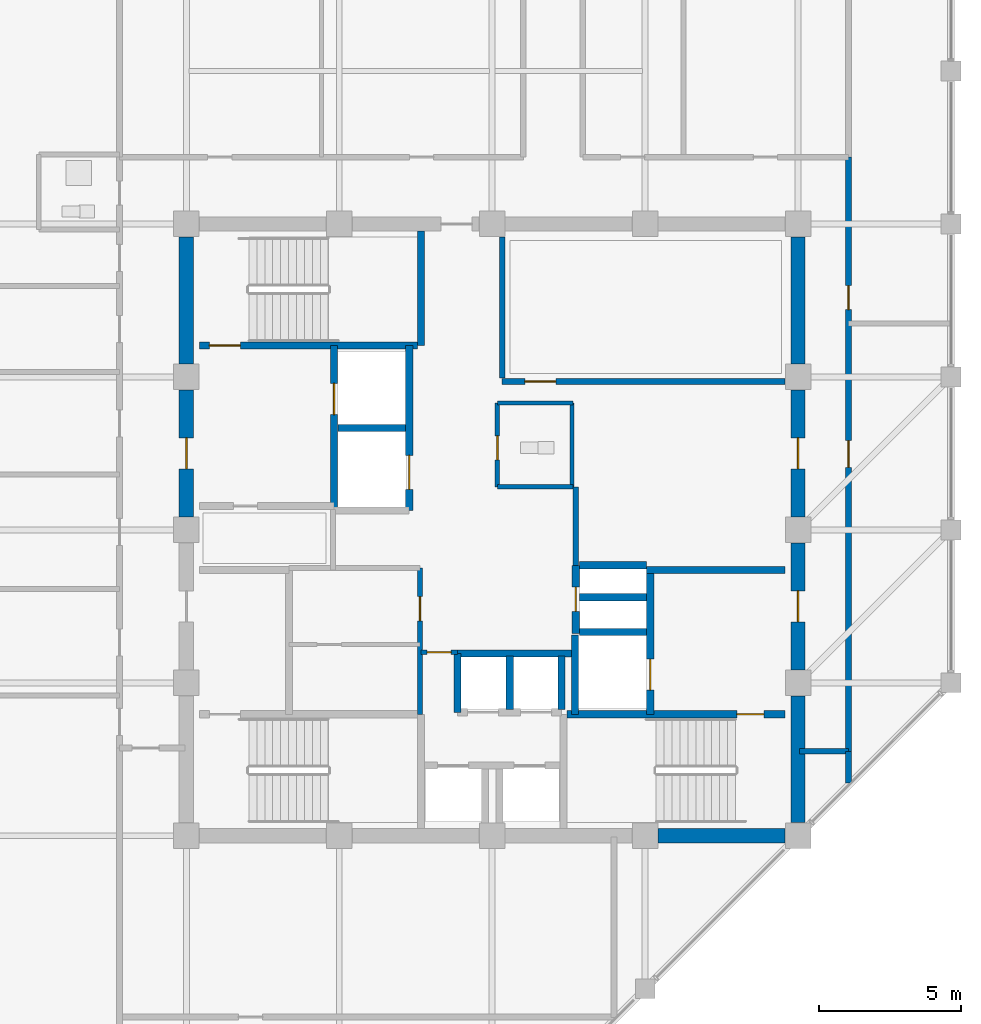
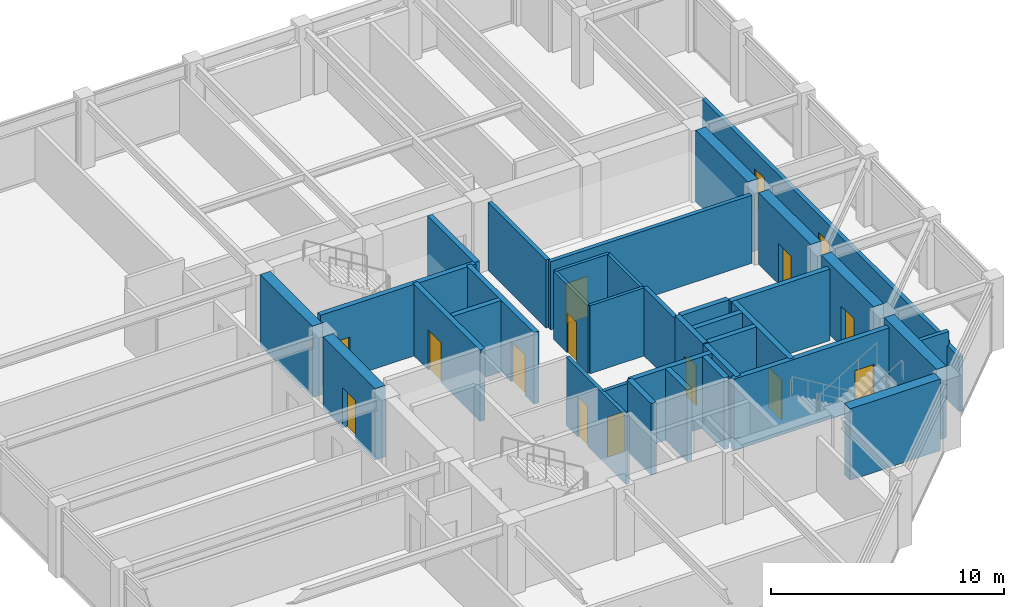
# One storey, part 27 of 30: 36 walls, 15 doors, 15 openings.
"""IFC4 building model written with IfcOpenShell, lengths in metres."""

from ifc_helpers import new_model, si_unit, direction, frame, frame_2d, origin, place, context, subcontext, project, spatial, rectangle, extrude, material, layer, layer_set, type_object, element, fill, save


model = new_model("IFC4")

# Units and contexts
model_context = context("Model", 3, precision=1e-05, world=origin(), true_north=direction((0.0, 1.0)))
body_context = subcontext(model_context, "Body", "Model", "MODEL_VIEW")
ifc_project = project(units=[si_unit("LENGTHUNIT", "METRE"), si_unit("AREAUNIT", "SQUARE_METRE"), si_unit("VOLUMEUNIT", "CUBIC_METRE"), si_unit("PLANEANGLEUNIT", "RADIAN"), si_unit("MASSUNIT", "GRAM", prefix="KILO")], contexts=[model_context])

# Site, building, storey
site_placement = place(None, origin())
site = spatial("IfcSite", under=ifc_project, at=site_placement, CompositionType="ELEMENT")
building_placement = place(site_placement, origin())
building = spatial("IfcBuilding", under=site, at=building_placement, Name="Surkhivell Harbour Commons", CompositionType="ELEMENT")
storey_placement = place(building_placement, frame((0.0, 0.0, 292.5)))
storey = spatial("IfcBuildingStorey", under=building, at=storey_placement, Name="L76", CompositionType="ELEMENT", Elevation=292.5)

# Wall
ifc_material_1 = material(Name="Concrete C50/60", Category="concrete")
ifc_layer_1 = layer(ifc_material_1, 0.5)
ifc_layer_set_1 = layer_set([ifc_layer_1], Name="Concrete C50/60")
wall_type_1 = type_object("IfcWallType", Name="WAL-CORE-500", PredefinedType="SHEAR", material=ifc_layer_set_1)
wall_1_placement = place(storey_placement, frame((10.800048828125, -10.340087890625, 0.0), z_axis=(0.0, 0.0, 1.0), x_axis=(0.0, 1.0, 0.0)))
element("IfcWall", 1, at=wall_1_placement, inside=storey, type_object=wall_type_1, Name="L76 Core Shear Wall East 1", PredefinedType="SHEAR", context=body_context, shape_type="SweptSolid", body=[
    extrude(rectangle(XDim=4.47998046875, YDim=0.5, at=frame_2d((2.239990234375, 0.0))), origin(), (0.0, 0.0, 1.0), 3.75),
])

# Wall, opening, door
wall_2_placement = place(storey_placement, frame((10.800048828125, -4.93994140625, 0.0), z_axis=(0.0, 0.0, 1.0), x_axis=(0.0, 1.0, 0.0)))
wall_2 = element("IfcWall", 2, at=wall_2_placement, inside=storey, type_object=wall_type_1, Name="L76 Core Shear Wall East 2", PredefinedType="SHEAR", context=body_context, shape_type="SweptSolid", body=[
    extrude(rectangle(XDim=4.47998046875, YDim=0.5, at=frame_2d((2.239990234375, 0.0))), origin(), (0.0, 0.0, 1.0), 3.75),
])
opening_1_placement = place(wall_2_placement, frame((1.68994140625, 0.0, 0.0)))
opening_1 = element("IfcOpeningElement", 3, at=opening_1_placement, cuts=wall_2, Name="Opening ID-1", PredefinedType="OPENING", context=body_context, shape_type="SweptSolid", body=[
    extrude(rectangle(XDim=1.10009765625, YDim=2.10009765625, at=frame_2d((0.550048828125, 1.050048828125))), frame((0.0, 0.260009765625, 0.0), z_axis=(0.0, -1.0, 0.0), x_axis=(1.0, 0.0, 0.0)), (0.0, 0.0, 1.0), 0.52001953125),
])
ifc_material_2 = material(Name="Hardwood-veneered fire-rated door leaf", Category="wood")
door_type_1 = type_object("IfcDoorType", Name="DOR-FD120-1100", OperationType="NOTDEFINED", PredefinedType="DOOR", material=ifc_material_2)
door_1_placement = place(opening_1_placement, origin())
door_1 = element("IfcDoor", 4, at=door_1_placement, inside=storey, type_object=door_type_1, Name="L76 Firefighting Lobby 2 Corridor Door", OperationType="SINGLE_SWING_RIGHT", OverallHeight=2.10009765625, OverallWidth=1.10009765625, PredefinedType="DOOR", context=body_context, shape_type="SweptSolid", body=[
    extrude(rectangle(XDim=1.10009765625, YDim=2.10009765625, at=frame_2d((0.550048828125, 1.050048828125))), frame((0.0, 0.02490234375, 0.0), z_axis=(0.0, -1.0, 0.0), x_axis=(1.0, 0.0, 0.0)), (0.0, 0.0, 1.0), 0.050048828125),
])
fill(opening_1, door_1)

wall_3_placement = place(storey_placement, frame((-10.800048828125, 0.4599609375, 0.0), z_axis=(0.0, 0.0, 1.0), x_axis=(0.0, 1.0, 0.0)))
wall_3 = element("IfcWall", 5, at=wall_3_placement, inside=storey, type_object=wall_type_1, Name="L76 Core Shear Wall West 3", PredefinedType="SHEAR", context=body_context, shape_type="SweptSolid", body=[
    extrude(rectangle(XDim=4.47998046875, YDim=0.5, at=frame_2d((2.239990234375, 0.0))), origin(), (0.0, 0.0, 1.0), 3.75),
])
opening_2_placement = place(wall_3_placement, frame((1.68994140625, 0.0, 0.0)))
opening_2 = element("IfcOpeningElement", 6, at=opening_2_placement, cuts=wall_3, Name="Opening ID-1", PredefinedType="OPENING", context=body_context, shape_type="SweptSolid", body=[
    extrude(rectangle(XDim=1.10009765625, YDim=2.10009765625, at=frame_2d((0.550048828125, 1.050048828125))), frame((0.0, 0.260009765625, 0.0), z_axis=(0.0, -1.0, 0.0), x_axis=(1.0, 0.0, 0.0)), (0.0, 0.0, 1.0), 0.52001953125),
])
door_2_placement = place(opening_2_placement, origin())
door_2 = element("IfcDoor", 7, at=door_2_placement, inside=storey, type_object=door_type_1, Name="L76 Firefighting Lobby 1 Corridor Door", OperationType="SINGLE_SWING_LEFT", OverallHeight=2.10009765625, OverallWidth=1.10009765625, PredefinedType="DOOR", context=body_context, shape_type="SweptSolid", body=[
    extrude(rectangle(XDim=1.10009765625, YDim=2.10009765625, at=frame_2d((0.550048828125, 1.050048828125))), frame((0.0, 0.02490234375, 0.0), z_axis=(0.0, -1.0, 0.0), x_axis=(1.0, 0.0, 0.0)), (0.0, 0.0, 1.0), 0.050048828125),
])
fill(opening_2, door_2)

wall_4_placement = place(storey_placement, frame((10.800048828125, 0.4599609375, 0.0), z_axis=(0.0, 0.0, 1.0), x_axis=(0.0, 1.0, 0.0)))
wall_4 = element("IfcWall", 8, at=wall_4_placement, inside=storey, type_object=wall_type_1, Name="L76 Core Shear Wall East 3", PredefinedType="SHEAR", context=body_context, shape_type="SweptSolid", body=[
    extrude(rectangle(XDim=4.47998046875, YDim=0.5, at=frame_2d((2.239990234375, 0.0))), origin(), (0.0, 0.0, 1.0), 3.75),
])
opening_3_placement = place(wall_4_placement, frame((1.68994140625, 0.0, 0.0)))
opening_3 = element("IfcOpeningElement", 9, at=opening_3_placement, cuts=wall_4, Name="Opening ID-2", PredefinedType="OPENING", context=body_context, shape_type="SweptSolid", body=[
    extrude(rectangle(XDim=1.10009765625, YDim=2.10009765625, at=frame_2d((0.550048828125, 1.050048828125))), frame((0.0, 0.260009765625, 0.0), z_axis=(0.0, -1.0, 0.0), x_axis=(1.0, 0.0, 0.0)), (0.0, 0.0, 1.0), 0.52001953125),
])
door_type_2 = type_object("IfcDoorType", Name="DOR-FD60-1100", OperationType="NOTDEFINED", PredefinedType="DOOR", material=ifc_material_2)
door_3_placement = place(opening_3_placement, origin())
door_3 = element("IfcDoor", 10, at=door_3_placement, inside=storey, type_object=door_type_2, Name="L76 Reading Room East Door", OperationType="SINGLE_SWING_RIGHT", OverallHeight=2.10009765625, OverallWidth=1.10009765625, PredefinedType="DOOR", context=body_context, shape_type="SweptSolid", body=[
    extrude(rectangle(XDim=1.10009765625, YDim=2.10009765625, at=frame_2d((0.550048828125, 1.050048828125))), frame((0.0, 0.02490234375, 0.0), z_axis=(0.0, -1.0, 0.0), x_axis=(1.0, 0.0, 0.0)), (0.0, 0.0, 1.0), 0.050048828125),
])
fill(opening_3, door_3)

# Walls
for number, where, z_axis, x_axis, name in (
    (11, (5.860107421875, -10.800048828125, 0.0), (0.0, 0.0, 1.0), (1.0, 0.0, 0.0), "L76 Core Shear Wall South 4"),
    (12, (-10.800048828125, 5.860107421875, 0.0), (0.0, 0.0, 1.0), (0.0, 1.0, 0.0), "L76 Core Shear Wall West 4"),
    (13, (10.800048828125, 5.860107421875, 0.0), (0.0, 0.0, 1.0), (0.0, 1.0, 0.0), "L76 Core Shear Wall East 4"),
):
    element("IfcWall", number, at=place(storey_placement, frame(where, z_axis=z_axis, x_axis=x_axis)), inside=storey, type_object=wall_type_1, Name=name, PredefinedType="SHEAR", context=body_context, shape_type="SweptSolid", body=[
        extrude(rectangle(XDim=4.47998046875, YDim=0.5, at=frame_2d((2.239990234375, 0.0))), origin(), (0.0, 0.0, 1.0), 3.75),
    ])
ifc_material_3 = material(Name="Twin-stud acoustic fireboard partition", Category="other")
ifc_layer_2 = layer(ifc_material_3, 0.14990234375)
ifc_layer_set_2 = layer_set([ifc_layer_2], Name="Twin-stud acoustic fireboard partition")
wall_type_2 = type_object("IfcWallType", Name="WAL-INT-150", PredefinedType="PARTITIONING", material=ifc_layer_set_2)
wall_5_placement = place(storey_placement, frame((2.820068359375, 1.52001953125, 0.0), z_axis=(0.0, 0.0, 1.0), x_axis=(0.0, 1.0, 0.0)))
element("IfcWall", 14, at=wall_5_placement, inside=storey, type_object=wall_type_2, Name="L76 Core Accessible WC East Wall", PredefinedType="PARTITIONING", context=body_context, shape_type="SweptSolid", body=[
    extrude(rectangle(XDim=2.9599609375, YDim=0.14990234375, at=frame_2d((1.47998046875, 0.0))), origin(), (0.0, 0.0, 1.0), 3.570068359375),
])
for number, where, z_axis, x_axis, name in (
    (15, (0.179931640625, 4.47998046875, 0.0), (0.0, 0.0, 1.0), (1.0, 0.0, 0.0), "L76 Core Accessible WC North Wall"),
    (16, (0.179931640625, 1.52001953125, 0.0), (0.0, 0.0, 1.0), (1.0, 0.0, 0.0), "L76 Core Accessible WC South Wall"),
):
    element("IfcWall", number, at=place(storey_placement, frame(where, z_axis=z_axis, x_axis=x_axis)), inside=storey, type_object=wall_type_2, Name=name, PredefinedType="PARTITIONING", context=body_context, shape_type="SweptSolid", body=[
        extrude(rectangle(XDim=2.670166015625, YDim=0.14990234375, at=frame_2d((1.3349609375, 0.0))), origin(), (0.0, 0.0, 1.0), 3.570068359375),
    ])

# Wall, opening, door
wall_6_placement = place(storey_placement, frame((0.179931640625, 1.52001953125, 0.0), z_axis=(0.0, 0.0, 1.0), x_axis=(0.0, 1.0, 0.0)))
wall_6 = element("IfcWall", 17, at=wall_6_placement, inside=storey, type_object=wall_type_2, Name="L76 Core Accessible WC West Wall", PredefinedType="PARTITIONING", context=body_context, shape_type="SweptSolid", body=[
    extrude(rectangle(XDim=2.9599609375, YDim=0.14990234375, at=frame_2d((1.47998046875, 0.0))), origin(), (0.0, 0.0, 1.0), 3.570068359375),
])
opening_4_placement = place(wall_6_placement, frame((0.949951171875, 0.0, 0.0)))
opening_4 = element("IfcOpeningElement", 18, at=opening_4_placement, cuts=wall_6, Name="Opening ID-6", PredefinedType="OPENING", context=body_context, shape_type="SweptSolid", body=[
    extrude(rectangle(XDim=0.85009765625, YDim=2.10009765625, at=frame_2d((0.425048828125, 1.050048828125))), frame((0.0, 0.0849609375, 0.0), z_axis=(0.0, -1.0, 0.0), x_axis=(1.0, 0.0, 0.0)), (0.0, 0.0, 1.0), 0.169921875),
])
door_type_3 = type_object("IfcDoorType", Name="DOR-FD30-850", OperationType="NOTDEFINED", PredefinedType="DOOR", material=ifc_material_2)
door_4_placement = place(opening_4_placement, origin())
door_4 = element("IfcDoor", 19, at=door_4_placement, inside=storey, type_object=door_type_3, Name="L76 Floor Accessible WC Door", OperationType="SINGLE_SWING_RIGHT", OverallHeight=2.10009765625, OverallWidth=0.85009765625, PredefinedType="DOOR", context=body_context, shape_type="SweptSolid", body=[
    extrude(rectangle(XDim=0.85009765625, YDim=2.10009765625, at=frame_2d((0.425048828125, 1.050048828125))), frame((0.0, 0.02490234375, 0.0), z_axis=(0.0, -1.0, 0.0), x_axis=(1.0, 0.0, 0.0)), (0.0, 0.0, 1.0), 0.050048828125),
])
fill(opening_4, door_4)

ifc_material_4 = material(Name="High-density acoustic blockwork fire partition", Category="masonry")
ifc_layer_3 = layer(ifc_material_4, 0.175048828125)
ifc_layer_set_3 = layer_set([ifc_layer_3], Name="High-density acoustic blockwork fire partition")
wall_type_3 = type_object("IfcWallType", Name="WAL-INT-175", PredefinedType="PARTITIONING", material=ifc_layer_set_3)
wall_7_placement = place(storey_placement, frame((-2.550048828125, -6.510009765625, 0.0), z_axis=(0.0, 0.0, 1.0), x_axis=(0.0, 1.0, 0.0)))
wall_7 = element("IfcWall", 20, at=wall_7_placement, inside=storey, type_object=wall_type_3, Name="L76 Core Service Bay East Wall", PredefinedType="PARTITIONING", context=body_context, shape_type="SweptSolid", body=[
    extrude(rectangle(XDim=5.159912109375, YDim=0.175048828125, at=frame_2d((2.580078125, 0.0))), origin(), (0.0, 0.0, 1.0), 3.570068359375),
])
opening_5_placement = place(wall_7_placement, frame((3.300048828125, 0.0, 0.0)))
opening_5 = element("IfcOpeningElement", 21, at=opening_5_placement, cuts=wall_7, Name="Opening ID-6", PredefinedType="OPENING", context=body_context, shape_type="SweptSolid", body=[
    extrude(rectangle(XDim=0.85009765625, YDim=2.10009765625, at=frame_2d((0.425048828125, 1.050048828125))), frame((0.0, 0.097412109375, 0.0), z_axis=(0.0, -1.0, 0.0), x_axis=(1.0, 0.0, 0.0)), (0.0, 0.0, 1.0), 0.195068359375),
])
door_5_placement = place(opening_5_placement, origin())
door_5 = element("IfcDoor", 22, at=door_5_placement, inside=storey, type_object=door_type_3, Name="L76 Core Reading Alcove Door", OperationType="SINGLE_SWING_LEFT", OverallHeight=2.10009765625, OverallWidth=0.85009765625, PredefinedType="DOOR", context=body_context, shape_type="SweptSolid", body=[
    extrude(rectangle(XDim=0.85009765625, YDim=2.10009765625, at=frame_2d((0.425048828125, 1.050048828125))), frame((0.0, 0.02490234375, 0.0), z_axis=(0.0, -1.0, 0.0), x_axis=(1.0, 0.0, 0.0)), (0.0, 0.0, 1.0), 0.050048828125),
])
fill(opening_5, door_5)

wall_8_placement = place(storey_placement, frame((-2.52001953125, -4.320068359375, 0.0), z_axis=(0.0, 0.0, 1.0), x_axis=(1.0, 0.0, 0.0)))
wall_8 = element("IfcWall", 23, at=wall_8_placement, inside=storey, type_object=wall_type_3, Name="L76 High-Rise Lobby North Portal Wall", PredefinedType="PARTITIONING", context=body_context, shape_type="SweptSolid", body=[
    extrude(rectangle(XDim=1.300048828125, YDim=0.175048828125, at=frame_2d((0.64990234375, 0.0))), origin(), (0.0, 0.0, 1.0), 3.570068359375),
])
opening_6_placement = place(wall_8_placement, frame((0.219970703125, 0.0, 0.0)))
opening_6 = element("IfcOpeningElement", 24, at=opening_6_placement, cuts=wall_8, Name="Opening ID-6", PredefinedType="OPENING", context=body_context, shape_type="SweptSolid", body=[
    extrude(rectangle(XDim=0.85009765625, YDim=2.10009765625, at=frame_2d((0.425048828125, 1.050048828125))), frame((0.0, 0.097412109375, 0.0), z_axis=(0.0, -1.0, 0.0), x_axis=(1.0, 0.0, 0.0)), (0.0, 0.0, 1.0), 0.195068359375),
])
door_6_placement = place(opening_6_placement, origin())
door_6 = element("IfcDoor", 25, at=door_6_placement, inside=storey, type_object=door_type_3, Name="L76 High-Rise Lift Lobby North Door", OperationType="SINGLE_SWING_LEFT", OverallHeight=2.10009765625, OverallWidth=0.85009765625, PredefinedType="DOOR", context=body_context, shape_type="SweptSolid", body=[
    extrude(rectangle(XDim=0.85009765625, YDim=2.10009765625, at=frame_2d((0.425048828125, 1.050048828125))), frame((0.0, 0.02490234375, 0.0), z_axis=(0.0, -1.0, 0.0), x_axis=(1.0, 0.0, 0.0)), (0.0, 0.0, 1.0), 0.050048828125),
])
fill(opening_6, door_6)

ifc_material_5 = material(Name="Autoclaved aerated concrete blockwork and fire plaster", Category="masonry")
ifc_layer_4 = layer(ifc_material_5, 0.199951171875)
ifc_layer_set_4 = layer_set([ifc_layer_4], Name="Autoclaved aerated concrete blockwork and fire plaster")
wall_type_4 = type_object("IfcWallType", Name="WAL-INT-200", PredefinedType="PARTITIONING", material=ifc_layer_set_4)
wall_9_placement = place(storey_placement, frame((0.35009765625, 5.239990234375, 0.0), z_axis=(0.0, 0.0, 1.0), x_axis=(1.0, 0.0, 0.0)))
wall_9 = element("IfcWall", 26, at=wall_9_placement, inside=storey, type_object=wall_type_4, Name="L76 Reclaimed Core North Bay South Wall", PredefinedType="PARTITIONING", context=body_context, shape_type="SweptSolid", body=[
    extrude(rectangle(XDim=9.989990234375, YDim=0.199951171875, at=frame_2d((4.9951171875, 0.0))), origin(), (0.0, 0.0, 1.0), 3.570068359375),
])
opening_7_placement = place(wall_9_placement, frame((0.800048828125, 0.0, 0.0)))
opening_7 = element("IfcOpeningElement", 27, at=opening_7_placement, cuts=wall_9, Name="Opening ID-2", PredefinedType="OPENING", context=body_context, shape_type="SweptSolid", body=[
    extrude(rectangle(XDim=1.10009765625, YDim=2.10009765625, at=frame_2d((0.550048828125, 1.050048828125))), frame((0.0, 0.10986328125, 0.0), z_axis=(0.0, -1.0, 0.0), x_axis=(1.0, 0.0, 0.0)), (0.0, 0.0, 1.0), 0.219970703125),
])
door_7_placement = place(opening_7_placement, origin())
door_7 = element("IfcDoor", 28, at=door_7_placement, inside=storey, type_object=door_type_2, Name="L76 Reading Library Door", OperationType="SINGLE_SWING_LEFT", OverallHeight=2.10009765625, OverallWidth=1.10009765625, PredefinedType="DOOR", context=body_context, shape_type="SweptSolid", body=[
    extrude(rectangle(XDim=1.10009765625, YDim=2.10009765625, at=frame_2d((0.550048828125, 1.050048828125))), frame((0.0, 0.02490234375, 0.0), z_axis=(0.0, -1.0, 0.0), x_axis=(1.0, 0.0, 0.0)), (0.0, 0.0, 1.0), 0.050048828125),
])
fill(opening_7, door_7)

# Wall
wall_10_placement = place(storey_placement, frame((0.35009765625, 5.360107421875, 0.0), z_axis=(0.0, 0.0, 1.0), x_axis=(0.0, 1.0, 0.0)))
element("IfcWall", 29, at=wall_10_placement, inside=storey, type_object=wall_type_4, Name="L76 Reclaimed Core North Bay West Wall", PredefinedType="PARTITIONING", context=body_context, shape_type="SweptSolid", body=[
    extrude(rectangle(XDim=4.97998046875, YDim=0.199951171875, at=frame_2d((2.489990234375, 0.0))), origin(), (0.0, 0.0, 1.0), 3.570068359375),
])

# Wall, openings, doors
wall_11_placement = place(storey_placement, frame((12.580078125, -7.820068359375, 0.0), z_axis=(0.0, 0.0, 1.0), x_axis=(0.0, 1.0, 0.0)))
wall_11 = element("IfcWall", 30, at=wall_11_placement, inside=storey, type_object=wall_type_4, Name="L76 East Corridor Wall", PredefinedType="PARTITIONING", context=body_context, shape_type="SweptSolid", body=[
    extrude(rectangle(XDim=20.97998046875, YDim=0.199951171875, at=frame_2d((10.489990234375, 0.0))), origin(), (0.0, 0.0, 1.0), 3.012939453125),
])
opening_8_placement = place(wall_11_placement, frame((10.023193359375, 0.0, 0.0)))
opening_8 = element("IfcOpeningElement", 31, at=opening_8_placement, cuts=wall_11, Name="Opening ID-4", PredefinedType="OPENING", context=body_context, shape_type="SweptSolid", body=[
    extrude(rectangle(XDim=0.949951171875, YDim=2.10009765625, at=frame_2d((0.47509765625, 1.050048828125))), frame((0.0, 0.10986328125, 0.0), z_axis=(0.0, -1.0, 0.0), x_axis=(1.0, 0.0, 0.0)), (0.0, 0.0, 1.0), 0.219970703125),
])
opening_9_placement = place(wall_11_placement, frame((15.5927734375, 0.0, 0.0)))
opening_9 = element("IfcOpeningElement", 32, at=opening_9_placement, cuts=wall_11, Name="Opening ID-6", PredefinedType="OPENING", context=body_context, shape_type="SweptSolid", body=[
    extrude(rectangle(XDim=0.85009765625, YDim=2.10009765625, at=frame_2d((0.425048828125, 1.050048828125))), frame((0.0, 0.10986328125, 0.0), z_axis=(0.0, -1.0, 0.0), x_axis=(1.0, 0.0, 0.0)), (0.0, 0.0, 1.0), 0.219970703125),
])
door_8_placement = place(opening_9_placement, origin())
door_8 = element("IfcDoor", 33, at=door_8_placement, inside=storey, type_object=door_type_3, Name="L76 Resident Advisory Reception Desk East Door", OperationType="SINGLE_SWING_RIGHT", OverallHeight=2.10009765625, OverallWidth=0.85009765625, PredefinedType="DOOR", context=body_context, shape_type="SweptSolid", body=[
    extrude(rectangle(XDim=0.85009765625, YDim=2.10009765625, at=frame_2d((0.425048828125, 1.050048828125))), frame((0.0, 0.02490234375, 0.0), z_axis=(0.0, -1.0, 0.0), x_axis=(1.0, 0.0, 0.0)), (0.0, 0.0, 1.0), 0.050048828125),
])
fill(opening_9, door_8)
door_type_4 = type_object("IfcDoorType", Name="DOR-FD60-950", OperationType="NOTDEFINED", PredefinedType="DOOR", material=ifc_material_2)
door_9_placement = place(opening_8_placement, origin())
door_9 = element("IfcDoor", 34, at=door_9_placement, inside=storey, type_object=door_type_4, Name="L76 Zone Concierge Reception Foyer East Door", OperationType="SINGLE_SWING_LEFT", OverallHeight=2.10009765625, OverallWidth=0.949951171875, PredefinedType="DOOR", context=body_context, shape_type="SweptSolid", body=[
    extrude(rectangle(XDim=0.949951171875, YDim=2.10009765625, at=frame_2d((0.47509765625, 1.050048828125))), frame((0.0, 0.02490234375, 0.0), z_axis=(0.0, -1.0, 0.0), x_axis=(1.0, 0.0, 0.0)), (0.0, 0.0, 1.0), 0.050048828125),
])
fill(opening_8, door_9)

# Walls
wall_12_placement = place(storey_placement, frame((12.580078125, -8.93505859375, 0.0), z_axis=(0.0, 0.0, 1.0), x_axis=(0.0, 1.0, 0.0)))
element("IfcWall", 35, at=wall_12_placement, inside=storey, type_object=wall_type_4, Name="L76 East Wing South Closure Wall", PredefinedType="PARTITIONING", context=body_context, shape_type="SweptSolid", body=[
    extrude(rectangle(XDim=1.114990234375, YDim=0.199951171875, at=frame_2d((0.5576171875, 0.0))), origin(), (0.0, 0.0, 1.0), 2.85693359375),
])
wall_13_placement = place(storey_placement, frame((10.85009765625, -7.820068359375, 0.0), z_axis=(0.0, 0.0, 1.0), x_axis=(1.0, 0.0, 0.0)))
element("IfcWall", 36, at=wall_13_placement, inside=storey, type_object=wall_type_4, Name="L76 East Corridor South Closure Wall", PredefinedType="PARTITIONING", context=body_context, shape_type="SweptSolid", body=[
    extrude(rectangle(XDim=1.72998046875, YDim=0.199951171875, at=frame_2d((0.864990234375, 0.0))), origin(), (0.0, 0.0, 1.0), 3.570068359375),
])
wall_14_placement = place(storey_placement, frame((2.949951171875, -1.25, 0.0), z_axis=(0.0, 0.0, 1.0), x_axis=(0.0, 1.0, 0.0)))
element("IfcWall", 37, at=wall_14_placement, inside=storey, type_object=wall_type_4, Name="L76 Reclaimed East Core West Wall", PredefinedType="PARTITIONING", context=body_context, shape_type="SweptSolid", body=[
    extrude(rectangle(XDim=2.77001953125, YDim=0.199951171875, at=frame_2d((1.385009765625, 0.0))), origin(), (0.0, 0.0, 1.0), 3.570068359375),
])

# Wall, opening, door
ifc_layer_5 = layer(ifc_material_1, 0.25)
ifc_layer_set_5 = layer_set([ifc_layer_5], Name="Concrete C50/60")
wall_type_5 = type_object("IfcWallType", Name="WAL-SHAFT-250", PredefinedType="SHEAR", material=ifc_layer_set_5)
wall_15_placement = place(storey_placement, frame((-5.580078125, 0.719970703125, 0.0), z_axis=(0.0, 0.0, 1.0), x_axis=(0.0, 1.0, 0.0)))
wall_15 = element("IfcWall", 38, at=wall_15_placement, inside=storey, type_object=wall_type_5, Name="L76 Firefighting Lobby 1 East Shaft Wall", PredefinedType="SHEAR", context=body_context, shape_type="SweptSolid", body=[
    extrude(rectangle(XDim=5.7900390625, YDim=0.25, at=frame_2d((2.89501953125, 0.0))), origin(), (0.0, 0.0, 1.0), 3.75),
])
opening_10_placement = place(wall_15_placement, frame((3.35009765625, 0.0, 0.0)))
opening_10 = element("IfcOpeningElement", 39, at=opening_10_placement, cuts=wall_15, Name="Opening LD-1", PredefinedType="OPENING", context=body_context, shape_type="SweptSolid", body=[
    extrude(rectangle(XDim=1.10009765625, YDim=2.10009765625, at=frame_2d((0.550048828125, 1.050048828125))), frame((0.0, 0.135009765625, 0.0), z_axis=(0.0, -1.0, 0.0), x_axis=(1.0, 0.0, 0.0)), (0.0, 0.0, 1.0), 0.27001953125),
])
ifc_material_6 = material(Name="Brushed stainless steel S355", Category="steel")
door_type_5 = type_object("IfcDoorType", Name="DOR-LD-1100", OperationType="SLIDING_TO_LEFT", PredefinedType="DOOR", material=ifc_material_6)
door_10_placement = place(opening_10_placement, origin())
door_10 = element("IfcDoor", 40, at=door_10_placement, inside=storey, type_object=door_type_5, Name="L76 Lift Landing Door LD-FFL1", OperationType="SLIDING_TO_LEFT", OverallHeight=2.10009765625, OverallWidth=1.10009765625, PredefinedType="DOOR", context=body_context, shape_type="SweptSolid", body=[
    extrude(rectangle(XDim=1.10009765625, YDim=2.10009765625, at=frame_2d((0.550048828125, 1.050048828125))), frame((0.0, 0.02490234375, 0.0), z_axis=(0.0, -1.0, 0.0), x_axis=(1.0, 0.0, 0.0)), (0.0, 0.0, 1.0), 0.050048828125),
])
fill(opening_10, door_10)

# Walls
wall_16_placement = place(storey_placement, frame((2.929931640625, -6.510009765625, 0.0), z_axis=(0.0, 0.0, 1.0), x_axis=(0.0, 1.0, 0.0)))
element("IfcWall", 41, at=wall_16_placement, inside=storey, type_object=wall_type_5, Name="L76 FFL2 West Shaft Wall", PredefinedType="SHEAR", context=body_context, shape_type="SweptSolid", body=[
    extrude(rectangle(XDim=2.7900390625, YDim=0.25, at=frame_2d((1.39501953125, 0.0))), origin(), (0.0, 0.0, 1.0), 3.75),
])
wall_17_placement = place(storey_placement, frame((5.43994140625, -1.419921875, 0.0), z_axis=(0.0, 0.0, 1.0), x_axis=(1.0, 0.0, 0.0)))
element("IfcWall", 42, at=wall_17_placement, inside=storey, type_object=wall_type_5, Name="L76 Firefighting Lobby 2 North Wall", PredefinedType="SHEAR", context=body_context, shape_type="SweptSolid", body=[
    extrude(rectangle(XDim=4.900146484375, YDim=0.25, at=frame_2d((2.4501953125, 0.0))), origin(), (0.0, 0.0, 1.0), 3.75),
])
wall_18_placement = place(storey_placement, frame((3.080078125, -3.60009765625, 0.0), z_axis=(0.0, 0.0, 1.0), x_axis=(1.0, 0.0, 0.0)))
element("IfcWall", 43, at=wall_18_placement, inside=storey, type_object=wall_type_5, Name="L76 FFL2 North Shaft Wall", PredefinedType="SHEAR", context=body_context, shape_type="SweptSolid", body=[
    extrude(rectangle(XDim=2.369873046875, YDim=0.25, at=frame_2d((1.18505859375, 0.0))), origin(), (0.0, 0.0, 1.0), 3.75),
])

# Wall, opening, door
wall_19_placement = place(storey_placement, frame((5.580078125, -6.510009765625, 0.0), z_axis=(0.0, 0.0, 1.0), x_axis=(0.0, 1.0, 0.0)))
wall_19 = element("IfcWall", 44, at=wall_19_placement, inside=storey, type_object=wall_type_5, Name="L76 Firefighting Lobby 2 West Shaft Wall", PredefinedType="SHEAR", context=body_context, shape_type="SweptSolid", body=[
    extrude(rectangle(XDim=5.090087890625, YDim=0.25, at=frame_2d((2.544921875, 0.0))), origin(), (0.0, 0.0, 1.0), 3.75),
])
opening_11_placement = place(wall_19_placement, frame((0.85009765625, 0.0, 0.0)))
opening_11 = element("IfcOpeningElement", 45, at=opening_11_placement, cuts=wall_19, Name="Opening LD-1", PredefinedType="OPENING", context=body_context, shape_type="SweptSolid", body=[
    extrude(rectangle(XDim=1.10009765625, YDim=2.10009765625, at=frame_2d((0.550048828125, 1.050048828125))), frame((0.0, 0.135009765625, 0.0), z_axis=(0.0, -1.0, 0.0), x_axis=(1.0, 0.0, 0.0)), (0.0, 0.0, 1.0), 0.27001953125),
])
door_11_placement = place(opening_11_placement, origin())
door_11 = element("IfcDoor", 46, at=door_11_placement, inside=storey, type_object=door_type_5, Name="L76 Lift Landing Door LD-FFL2", OperationType="SLIDING_TO_RIGHT", OverallHeight=2.10009765625, OverallWidth=1.10009765625, PredefinedType="DOOR", context=body_context, shape_type="SweptSolid", body=[
    extrude(rectangle(XDim=1.10009765625, YDim=2.10009765625, at=frame_2d((0.550048828125, 1.050048828125))), frame((0.0, 0.02490234375, 0.0), z_axis=(0.0, -1.0, 0.0), x_axis=(1.0, 0.0, 0.0)), (0.0, 0.0, 1.0), 0.050048828125),
])
fill(opening_11, door_11)

# Walls
for number, where, z_axis, x_axis, name in (
    (47, (0.6201171875, -6.340087890625, 0.0), (0.0, 0.0, 1.0), (0.0, 1.0, 0.0), "L76 High-Rise Side Wall N"),
    (48, (2.449951171875, -6.340087890625, 0.0), (0.0, 0.0, 1.0), (0.0, 1.0, 0.0), "L76 High-Rise Side Wall N"),
):
    element("IfcWall", number, at=place(storey_placement, frame(where, z_axis=z_axis, x_axis=x_axis)), inside=storey, type_object=wall_type_5, Name=name, PredefinedType="SHEAR", context=body_context, shape_type="SweptSolid", body=[
        extrude(rectangle(XDim=1.880126953125, YDim=0.25, at=frame_2d((0.93994140625, 0.0))), origin(), (0.0, 0.0, 1.0), 3.75),
    ])
wall_20_placement = place(storey_placement, frame((-1.219970703125, -6.43994140625, 0.0), z_axis=(0.0, 0.0, 1.0), x_axis=(0.0, 1.0, 0.0)))
element("IfcWall", 49, at=wall_20_placement, inside=storey, type_object=wall_type_5, Name="L76 High-Rise Passage East Shaft Wall", PredefinedType="SHEAR", context=body_context, shape_type="SweptSolid", body=[
    extrude(rectangle(XDim=2.079833984375, YDim=0.25, at=frame_2d((1.0400390625, 0.0))), origin(), (0.0, 0.0, 1.0), 3.75),
])
wall_21_placement = place(storey_placement, frame((-1.219970703125, -4.360107421875, 0.0), z_axis=(0.0, 0.0, 1.0), x_axis=(1.0, 0.0, 0.0)))
element("IfcWall", 50, at=wall_21_placement, inside=storey, type_object=wall_type_5, Name="L76 High-Rise North Back Shaft Wall", PredefinedType="SHEAR", context=body_context, shape_type="SweptSolid", body=[
    extrude(rectangle(XDim=4.030029296875, YDim=0.25, at=frame_2d((2.01513671875, 0.0))), origin(), (0.0, 0.0, 1.0), 3.75),
])
for number, where, z_axis, x_axis, name in (
    (51, (3.080078125, -2.3798828125, 0.0), (0.0, 0.0, 1.0), (1.0, 0.0, 0.0), "L76 Riser Divider Wall"),
    (52, (3.080078125, -1.25, 0.0), (0.0, 0.0, 1.0), (1.0, 0.0, 0.0), "L76 Riser North Wall"),
):
    element("IfcWall", number, at=place(storey_placement, frame(where, z_axis=z_axis, x_axis=x_axis)), inside=storey, type_object=wall_type_5, Name=name, PredefinedType="SHEAR", context=body_context, shape_type="SweptSolid", body=[
        extrude(rectangle(XDim=2.369873046875, YDim=0.25, at=frame_2d((1.18505859375, 0.0))), origin(), (0.0, 0.0, 1.0), 3.75),
    ])

# Wall, opening, door
wall_22_placement = place(storey_placement, frame((2.949951171875, -3.64990234375, 0.0), z_axis=(0.0, 0.0, 1.0), x_axis=(0.0, 1.0, 0.0)))
wall_22 = element("IfcWall", 53, at=wall_22_placement, inside=storey, type_object=wall_type_5, Name="L76 Riser Shaft West Wall", PredefinedType="SHEAR", context=body_context, shape_type="SweptSolid", body=[
    extrude(rectangle(XDim=2.39990234375, YDim=0.25, at=frame_2d((1.199951171875, 0.0))), origin(), (0.0, 0.0, 1.0), 3.75),
])
opening_12_placement = place(wall_22_placement, frame((0.77490234375, 0.0, 0.0)))
opening_12 = element("IfcOpeningElement", 54, at=opening_12_placement, cuts=wall_22, Name="Opening ID-6", PredefinedType="OPENING", context=body_context, shape_type="SweptSolid", body=[
    extrude(rectangle(XDim=0.85009765625, YDim=2.10009765625, at=frame_2d((0.425048828125, 1.050048828125))), frame((0.0, 0.135009765625, 0.0), z_axis=(0.0, -1.0, 0.0), x_axis=(1.0, 0.0, 0.0)), (0.0, 0.0, 1.0), 0.27001953125),
])
door_12_placement = place(opening_12_placement, origin())
door_12 = element("IfcDoor", 55, at=door_12_placement, inside=storey, type_object=door_type_3, Name="L76 Electrical Riser Access Door", OperationType="SINGLE_SWING_LEFT", OverallHeight=2.10009765625, OverallWidth=0.85009765625, PredefinedType="DOOR", context=body_context, shape_type="SweptSolid", body=[
    extrude(rectangle(XDim=0.85009765625, YDim=2.10009765625, at=frame_2d((0.425048828125, 1.050048828125))), frame((0.0, 0.02490234375, 0.0), z_axis=(0.0, -1.0, 0.0), x_axis=(1.0, 0.0, 0.0)), (0.0, 0.0, 1.0), 0.050048828125),
])
fill(opening_12, door_12)

# Wall
wall_23_placement = place(storey_placement, frame((-2.510009765625, 6.510009765625, 0.0), z_axis=(0.0, 0.0, 1.0), x_axis=(0.0, 1.0, 0.0)))
element("IfcWall", 56, at=wall_23_placement, inside=storey, type_object=wall_type_5, Name="L76 Stair ST1 East Shear Wall", PredefinedType="SHEAR", context=body_context, shape_type="SweptSolid", body=[
    extrude(rectangle(XDim=4.0400390625, YDim=0.25, at=frame_2d((2.02001953125, 0.0))), origin(), (0.0, 0.0, 1.0), 3.75),
])

# Wall, opening, door
wall_24_placement = place(storey_placement, frame((-10.340087890625, 6.510009765625, 0.0), z_axis=(0.0, 0.0, 1.0), x_axis=(1.0, 0.0, 0.0)))
wall_24 = element("IfcWall", 57, at=wall_24_placement, inside=storey, type_object=wall_type_5, Name="L76 Stair ST1 South Shear Wall", PredefinedType="SHEAR", context=body_context, shape_type="SweptSolid", body=[
    extrude(rectangle(XDim=7.7001953125, YDim=0.25, at=frame_2d((3.85009765625, 0.0))), origin(), (0.0, 0.0, 1.0), 3.75),
])
opening_13_placement = place(wall_24_placement, frame((0.35009765625, 0.0, 0.0)))
opening_13 = element("IfcOpeningElement", 58, at=opening_13_placement, cuts=wall_24, Name="Opening ID-2", PredefinedType="OPENING", context=body_context, shape_type="SweptSolid", body=[
    extrude(rectangle(XDim=1.10009765625, YDim=2.10009765625, at=frame_2d((0.550048828125, 1.050048828125))), frame((0.0, 0.135009765625, 0.0), z_axis=(0.0, -1.0, 0.0), x_axis=(1.0, 0.0, 0.0)), (0.0, 0.0, 1.0), 0.27001953125),
])
door_13_placement = place(opening_13_placement, origin())
door_13 = element("IfcDoor", 59, at=door_13_placement, inside=storey, type_object=door_type_2, Name="L76 Stair ST1 Exit Door", OperationType="SINGLE_SWING_LEFT", OverallHeight=2.10009765625, OverallWidth=1.10009765625, PredefinedType="DOOR", context=body_context, shape_type="SweptSolid", body=[
    extrude(rectangle(XDim=1.10009765625, YDim=2.10009765625, at=frame_2d((0.550048828125, 1.050048828125))), frame((0.0, 0.02490234375, 0.0), z_axis=(0.0, -1.0, 0.0), x_axis=(1.0, 0.0, 0.0)), (0.0, 0.0, 1.0), 0.050048828125),
])
fill(opening_13, door_13)

wall_25_placement = place(storey_placement, frame((2.639892578125, -6.510009765625, 0.0), z_axis=(0.0, 0.0, 1.0), x_axis=(1.0, 0.0, 0.0)))
wall_25 = element("IfcWall", 60, at=wall_25_placement, inside=storey, type_object=wall_type_5, Name="L76 Stair ST2 North Shear Wall", PredefinedType="SHEAR", context=body_context, shape_type="SweptSolid", body=[
    extrude(rectangle(XDim=7.7001953125, YDim=0.25, at=frame_2d((3.85009765625, 0.0))), origin(), (0.0, 0.0, 1.0), 3.75),
])
opening_14_placement = place(wall_25_placement, frame((6.0, 0.0, 0.0)))
opening_14 = element("IfcOpeningElement", 61, at=opening_14_placement, cuts=wall_25, Name="Opening ID-4", PredefinedType="OPENING", context=body_context, shape_type="SweptSolid", body=[
    extrude(rectangle(XDim=0.949951171875, YDim=2.10009765625, at=frame_2d((0.47509765625, 1.050048828125))), frame((0.0, 0.135009765625, 0.0), z_axis=(0.0, -1.0, 0.0), x_axis=(1.0, 0.0, 0.0)), (0.0, 0.0, 1.0), 0.27001953125),
])
door_14_placement = place(opening_14_placement, origin())
door_14 = element("IfcDoor", 62, at=door_14_placement, inside=storey, type_object=door_type_4, Name="L76 Stair ST2 Exit Door", OperationType="SINGLE_SWING_RIGHT", OverallHeight=2.10009765625, OverallWidth=0.949951171875, PredefinedType="DOOR", context=body_context, shape_type="SweptSolid", body=[
    extrude(rectangle(XDim=0.949951171875, YDim=2.10009765625, at=frame_2d((0.47509765625, 1.050048828125))), frame((0.0, 0.02490234375, 0.0), z_axis=(0.0, -1.0, 0.0), x_axis=(1.0, 0.0, 0.0)), (0.0, 0.0, 1.0), 0.050048828125),
])
fill(opening_14, door_14)

wall_26_placement = place(storey_placement, frame((-2.929931640625, 0.679931640625, 0.0), z_axis=(0.0, 0.0, 1.0), x_axis=(0.0, 1.0, 0.0)))
wall_26 = element("IfcWall", 63, at=wall_26_placement, inside=storey, type_object=wall_type_5, Name="L76 Service and Fire Lift East Shaft Wall", PredefinedType="SHEAR", context=body_context, shape_type="SweptSolid", body=[
    extrude(rectangle(XDim=5.830078125, YDim=0.25, at=frame_2d((2.9150390625, 0.0))), origin(), (0.0, 0.0, 1.0), 3.75),
])
opening_15_placement = place(wall_26_placement, frame((0.75, 0.0, 0.0)))
opening_15 = element("IfcOpeningElement", 64, at=opening_15_placement, cuts=wall_26, Name="Opening LD-2", PredefinedType="OPENING", context=body_context, shape_type="SweptSolid", body=[
    extrude(rectangle(XDim=1.199951171875, YDim=2.10009765625, at=frame_2d((0.60009765625, 1.050048828125))), frame((0.0, 0.135009765625, 0.0), z_axis=(0.0, -1.0, 0.0), x_axis=(1.0, 0.0, 0.0)), (0.0, 0.0, 1.0), 0.27001953125),
])
door_type_6 = type_object("IfcDoorType", Name="DOR-LD-1200", OperationType="SLIDING_TO_LEFT", PredefinedType="DOOR", material=ifc_material_6)
door_15_placement = place(opening_15_placement, origin())
door_15 = element("IfcDoor", 65, at=door_15_placement, inside=storey, type_object=door_type_6, Name="L76 Lift Landing Door LD-SVL1", OperationType="SLIDING_TO_LEFT", OverallHeight=2.10009765625, OverallWidth=1.199951171875, PredefinedType="DOOR", context=body_context, shape_type="SweptSolid", body=[
    extrude(rectangle(XDim=1.199951171875, YDim=2.10009765625, at=frame_2d((0.60009765625, 1.050048828125))), frame((0.0, 0.02490234375, 0.0), z_axis=(0.0, -1.0, 0.0), x_axis=(1.0, 0.0, 0.0)), (0.0, 0.0, 1.0), 0.050048828125),
])
fill(opening_15, door_15)

# Wall
wall_27_placement = place(storey_placement, frame((-5.449951171875, 3.60009765625, 0.0), z_axis=(0.0, 0.0, 1.0), x_axis=(1.0, 0.0, 0.0)))
element("IfcWall", 66, at=wall_27_placement, inside=storey, type_object=wall_type_5, Name="L76 FFL1/SVL1 Shaft Divider", PredefinedType="SHEAR", context=body_context, shape_type="SweptSolid", body=[
    extrude(rectangle(XDim=2.389892578125, YDim=0.25, at=frame_2d((1.19482421875, 0.0))), origin(), (0.0, 0.0, 1.0), 3.75),
])

save(model, "model.ifc")
